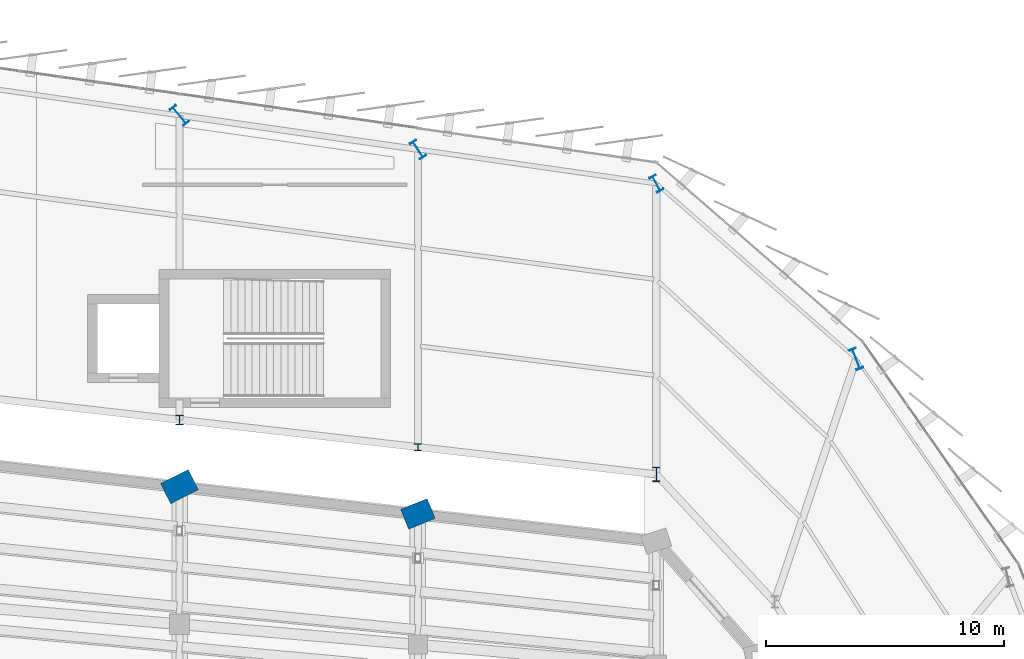
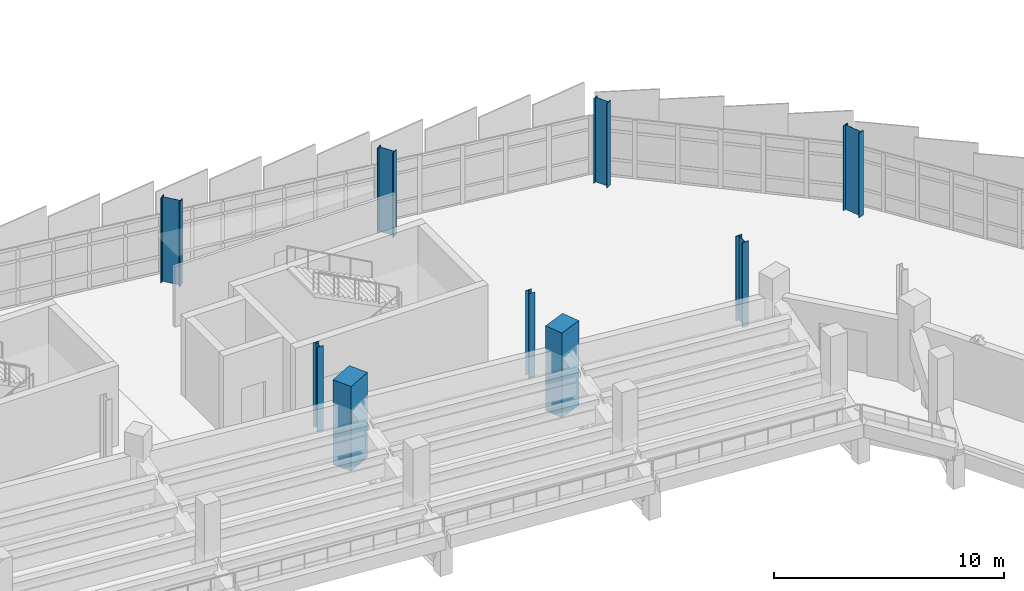
# One storey, part 22 of 120: 9 columns.
"""IFC4 building model written with IfcOpenShell, lengths in metres."""

from ifc_helpers import new_model, si_unit, direction, frame, origin, origin_2d, place, context, subcontext, project, spatial, rectangle, i_section, extrude, material, material_profile, profile_set, type_object, element, save


model = new_model("IFC4")

# Units and contexts
model_context = context("Model", 3, precision=1e-05, world=origin(), true_north=direction((0.0, 1.0)))
body_context = subcontext(model_context, "Body", "Model", "MODEL_VIEW")
ifc_project = project(units=[si_unit("LENGTHUNIT", "METRE"), si_unit("AREAUNIT", "SQUARE_METRE"), si_unit("VOLUMEUNIT", "CUBIC_METRE"), si_unit("PLANEANGLEUNIT", "RADIAN"), si_unit("MASSUNIT", "GRAM", prefix="KILO")], contexts=[model_context])

# Site, building, storey
site_placement = place(None, origin())
site = spatial("IfcSite", under=ifc_project, at=site_placement, CompositionType="ELEMENT")
building_placement = place(site_placement, origin())
building = spatial("IfcBuilding", under=site, at=building_placement, Name="Sohan Crest Arena", CompositionType="ELEMENT")
storey_placement = place(building_placement, frame((0.0, 0.0, 13.5)))
storey = spatial("IfcBuildingStorey", under=building, at=storey_placement, Name="L03", CompositionType="ELEMENT", Elevation=13.5)

# Columns
ifc_material_1 = material(Name="Concrete C40/50", Category="concrete")
ifc_material_profile_1 = material_profile(ifc_material_1, rectangle(XDim=1.199951171875, YDim=0.89990234375, at=origin_2d()), Name="RC 1200x900")
ifc_profile_set_1 = profile_set([ifc_material_profile_1], Name="Concrete C40/50")
column_type_1 = type_object("IfcColumnType", Name="STR-COL-C11", PredefinedType="COLUMN", material=ifc_profile_set_1)
column_1_placement = place(storey_placement, frame((158.0, 102.14306640625, 0.0), z_axis=(0.0, 0.0, 1.0), x_axis=(0.927836253899, 0.372987782576, 0.0)))
element("IfcColumn", 1, at=column_1_placement, inside=storey, type_object=column_type_1, Name="Structural column COL-V1R-29-L03", PredefinedType="COLUMN", context=body_context, shape_type="SweptSolid", body=[
    extrude(rectangle(XDim=1.199951171875, YDim=0.89990234375, at=origin_2d()), origin(), (0.0, 0.0, 1.0), 4.5),
])
ifc_material_profile_2 = material_profile(ifc_material_1, rectangle(XDim=1.300048828125, YDim=0.949951171875, at=origin_2d()), Name="RC 1300x950")
ifc_profile_set_2 = profile_set([ifc_material_profile_2], Name="Concrete C40/50")
column_type_2 = type_object("IfcColumnType", Name="STR-COL-C12", PredefinedType="COLUMN", material=ifc_profile_set_2)
column_2_placement = place(storey_placement, frame((148.0, 103.285888671875, 0.0), z_axis=(0.0, 0.0, 1.0), x_axis=(0.892585818452, 0.450877540689, 0.0)))
element("IfcColumn", 2, at=column_2_placement, inside=storey, type_object=column_type_2, Name="Structural column COL-V1R-30-L03", PredefinedType="COLUMN", context=body_context, shape_type="SweptSolid", body=[
    extrude(rectangle(XDim=1.300048828125, YDim=0.949951171875, at=origin_2d()), origin(), (0.0, 0.0, 1.0), 4.5),
])
ifc_material_2 = material(Name="Steel S355", Category="steel")
ifc_material_profile_3 = material_profile(ifc_material_2, i_section(OverallWidth=0.300048828125, OverallDepth=0.300048828125, WebThickness=0.010986328125, FlangeThickness=0.01904296875, at=origin_2d()), Name="HEB 300")
ifc_profile_set_3 = profile_set([ifc_material_profile_3], Name="Steel S355")
column_type_3 = type_object("IfcColumnType", Name="STR-COL-C17", PredefinedType="COLUMN", material=ifc_profile_set_3)
column_3_placement = place(storey_placement, frame((158.0, 104.943115234375, 0.0), z_axis=(0.0, 0.0, 1.0), x_axis=(1.0, 0.0, 0.0)))
element("IfcColumn", 3, at=column_3_placement, inside=storey, type_object=column_type_3, Name="Structural column COL-V2I-29-L03", PredefinedType="COLUMN", context=body_context, shape_type="SweptSolid", body=[
    extrude(i_section(OverallWidth=0.300048828125, OverallDepth=0.300048828125, WebThickness=0.010986328125, FlangeThickness=0.01904296875, at=origin_2d()), origin(), (0.0, 0.0, 1.0), 4.5),
])
ifc_material_profile_4 = material_profile(ifc_material_2, i_section(OverallWidth=0.300048828125, OverallDepth=0.39990234375, WebThickness=0.013427734375, FlangeThickness=0.02392578125, at=origin_2d()), Name="HEB 400")
ifc_profile_set_4 = profile_set([ifc_material_profile_4], Name="Steel S355")
column_type_4 = type_object("IfcColumnType", Name="STR-COL-C18", PredefinedType="COLUMN", material=ifc_profile_set_4)
column_4_placement = place(storey_placement, frame((148.0, 106.0859375, 0.0), z_axis=(0.0, 0.0, 1.0), x_axis=(1.0, 0.0, 0.0)))
element("IfcColumn", 4, at=column_4_placement, inside=storey, type_object=column_type_4, Name="Structural column COL-V2I-30-L03", PredefinedType="COLUMN", context=body_context, shape_type="SweptSolid", body=[
    extrude(i_section(OverallWidth=0.300048828125, OverallDepth=0.39990234375, WebThickness=0.013427734375, FlangeThickness=0.02392578125, at=origin_2d()), origin(), (0.0, 0.0, 1.0), 4.5),
])
ifc_material_profile_5 = material_profile(ifc_material_2, i_section(OverallWidth=0.300048828125, OverallDepth=0.60009765625, WebThickness=0.015380859375, FlangeThickness=0.030029296875, at=origin_2d()), Name="HEB 600")
ifc_profile_set_5 = profile_set([ifc_material_profile_5], Name="Steel S355")
column_type_5 = type_object("IfcColumnType", Name="STR-COL-C20", PredefinedType="COLUMN", material=ifc_profile_set_5)
column_5_placement = place(storey_placement, frame((168.0, 103.800048828125, 0.0), z_axis=(0.0, 0.0, 1.0), x_axis=(1.0, 0.0, 0.0)))
element("IfcColumn", 5, at=column_5_placement, inside=storey, type_object=column_type_5, Name="Structural column COL-V2I-28-L03", PredefinedType="COLUMN", context=body_context, shape_type="SweptSolid", body=[
    extrude(i_section(OverallWidth=0.300048828125, OverallDepth=0.60009765625, WebThickness=0.015380859375, FlangeThickness=0.030029296875, at=origin_2d()), origin(), (0.0, 0.0, 1.0), 4.5),
])
ifc_material_profile_6 = material_profile(ifc_material_2, i_section(OverallWidth=0.300048828125, OverallDepth=0.699951171875, WebThickness=0.01708984375, FlangeThickness=0.031982421875, at=origin_2d()), Name="HEB 700")
ifc_profile_set_6 = profile_set([ifc_material_profile_6], Name="Steel S355")
column_type_6 = type_object("IfcColumnType", Name="STR-COL-C21", PredefinedType="COLUMN", material=ifc_profile_set_6)
column_6_placement = place(storey_placement, frame((168.0, 116.0, 0.0), z_axis=(0.0, 0.0, 1.0), x_axis=(0.878817112662, 0.47715876026, 0.0)))
element("IfcColumn", 6, at=column_6_placement, inside=storey, type_object=column_type_6, Name="Structural column COL-V2O-28-L03", PredefinedType="COLUMN", context=body_context, shape_type="SweptSolid", body=[
    extrude(i_section(OverallWidth=0.300048828125, OverallDepth=0.699951171875, WebThickness=0.01708984375, FlangeThickness=0.031982421875, at=origin_2d()), origin(), (0.0, 0.0, 1.0), 4.5),
])
ifc_material_profile_7 = material_profile(ifc_material_2, i_section(OverallWidth=0.300048828125, OverallDepth=0.800048828125, WebThickness=0.017578125, FlangeThickness=0.032958984375, at=origin_2d()), Name="HEB 800")
ifc_profile_set_7 = profile_set([ifc_material_profile_7], Name="Steel S355")
column_type_7 = type_object("IfcColumnType", Name="STR-COL-C22", PredefinedType="COLUMN", material=ifc_profile_set_7)
column_7_placement = place(storey_placement, frame((158.0, 117.428955078125, 0.0), z_axis=(0.0, 0.0, 1.0), x_axis=(0.835807361368, 0.549022817998, 0.0)))
element("IfcColumn", 7, at=column_7_placement, inside=storey, type_object=column_type_7, Name="Structural column COL-V2O-29-L03", PredefinedType="COLUMN", context=body_context, shape_type="SweptSolid", body=[
    extrude(i_section(OverallWidth=0.300048828125, OverallDepth=0.800048828125, WebThickness=0.017578125, FlangeThickness=0.032958984375, at=origin_2d()), origin(), (0.0, 0.0, 1.0), 4.5),
])
ifc_material_profile_8 = material_profile(ifc_material_2, i_section(OverallWidth=0.300048828125, OverallDepth=0.89990234375, WebThickness=0.0185546875, FlangeThickness=0.034912109375, at=origin_2d()), Name="HEB 900")
ifc_profile_set_8 = profile_set([ifc_material_profile_8], Name="Steel S355")
column_type_8 = type_object("IfcColumnType", Name="STR-COL-C23", PredefinedType="COLUMN", material=ifc_profile_set_8)
for number, where, z_axis, x_axis, name in (
    (8, (176.383056640625, 108.64501953125, 0.0), (0.0, 0.0, 1.0), (0.931055815863, 0.364876784338, 0.0), "Structural column COL-V2O-27-L03"),
    (9, (148.0, 118.85693359375, 0.0), (0.0, 0.0, 1.0), (0.773840209727, 0.633380872628, 0.0), "Structural column COL-V2O-30-L03"),
):
    element("IfcColumn", number, at=place(storey_placement, frame(where, z_axis=z_axis, x_axis=x_axis)), inside=storey, type_object=column_type_8, Name=name, PredefinedType="COLUMN", context=body_context, shape_type="SweptSolid", body=[
        extrude(i_section(OverallWidth=0.300048828125, OverallDepth=0.89990234375, WebThickness=0.0185546875, FlangeThickness=0.034912109375, at=origin_2d()), origin(), (0.0, 0.0, 1.0), 4.5),
    ])

save(model, "model.ifc")
